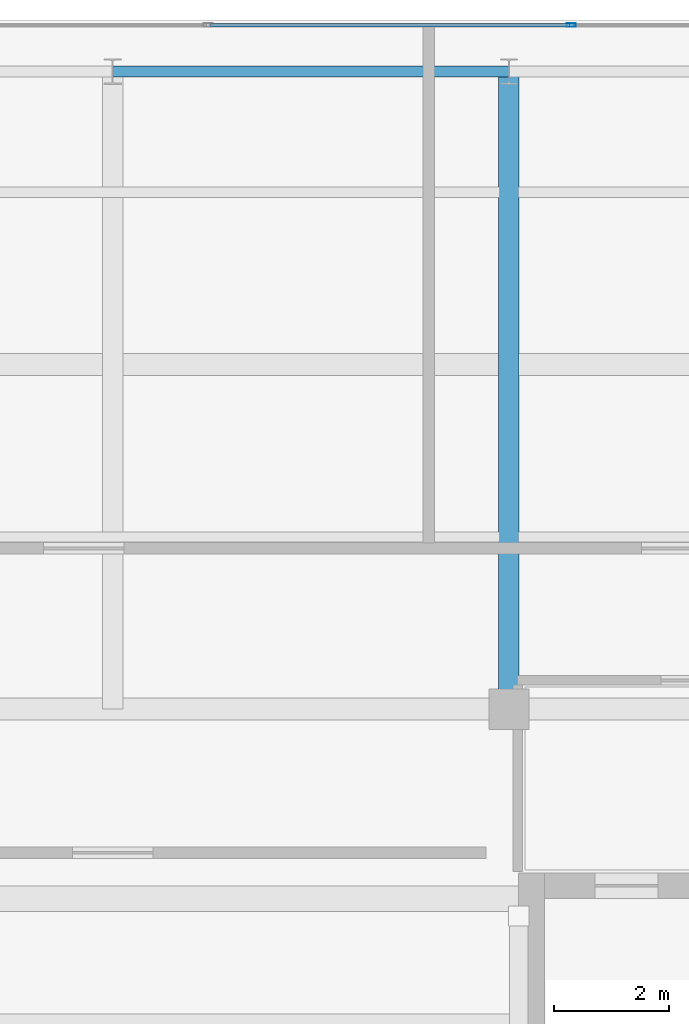
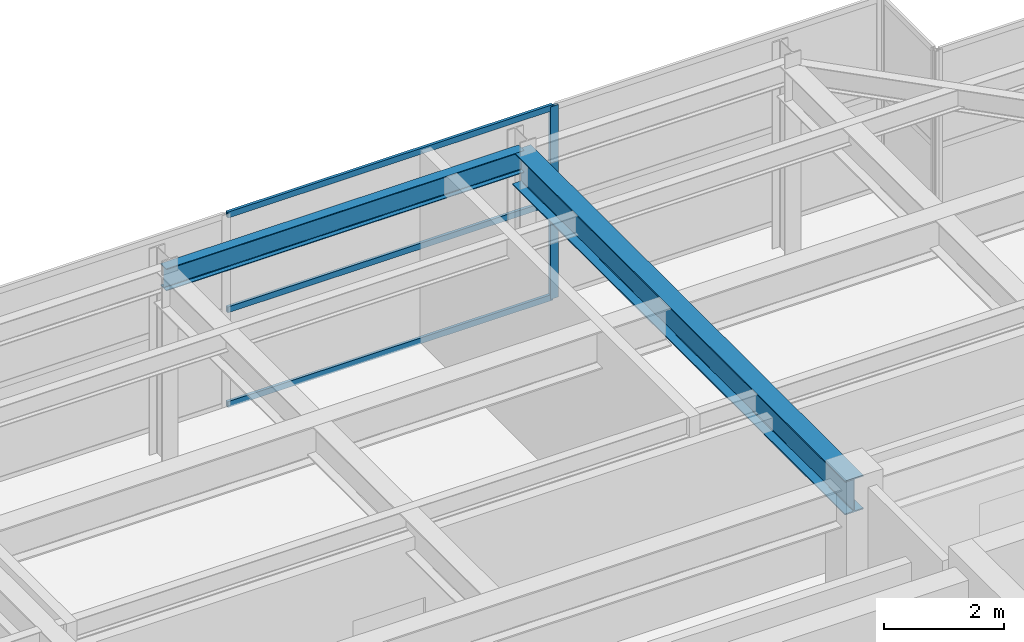
# One storey, part 26 of 32: 4 members, 2 beams, 1 element without a shape of its own.
"""IFC4 building model written with IfcOpenShell, lengths in metres."""

from ifc_helpers import new_model, si_unit, direction, frame, origin, origin_2d, place, context, subcontext, project, spatial, hollow_rectangle, i_section, extrude, source, transform, mapped, material, layer, layer_set, material_profile, profile_set, type_object, element, aggregate, save


model = new_model("IFC4")

# Units and contexts
model_context = context("Model", 3, precision=1e-05, world=origin(), true_north=direction((0.0, 1.0)))
body_context = subcontext(model_context, "Body", "Model", "MODEL_VIEW")
ifc_project = project(units=[si_unit("LENGTHUNIT", "METRE"), si_unit("AREAUNIT", "SQUARE_METRE"), si_unit("VOLUMEUNIT", "CUBIC_METRE"), si_unit("PLANEANGLEUNIT", "RADIAN"), si_unit("MASSUNIT", "GRAM", prefix="KILO")], contexts=[model_context])

# Site, building, storey
site_placement = place(None, origin())
site = spatial("IfcSite", under=ifc_project, at=site_placement, CompositionType="ELEMENT")
building_placement = place(site_placement, origin())
building = spatial("IfcBuilding", under=site, at=building_placement, Name="Khoralis Quay Care Tower", CompositionType="ELEMENT")
storey_placement = place(building_placement, frame((0.0, 0.0, 297.89990234375)))
storey = spatial("IfcBuildingStorey", under=building, at=storey_placement, Name="L78", CompositionType="ELEMENT", Elevation=297.89990234375)

# Beams
ifc_material_1 = material(Name="Steel S355", Category="steel")
ifc_material_profile_1 = material_profile(ifc_material_1, i_section(OverallWidth=0.18994140625, OverallDepth=0.449951171875, WebThickness=0.009521484375, FlangeThickness=0.0146484375, FilletRadius=0.02099609375, at=origin_2d()), Name="Steel S355")
ifc_profile_set_1 = profile_set([ifc_material_profile_1], Name="Steel S355")
beam_type_1 = type_object("IfcBeamType", Name="BM-IPE450", PredefinedType="SPANDREL", material=ifc_profile_set_1)
shared_shape_1 = source(origin(), body_context, "Body", "SweptSolid", [
    extrude(i_section(OverallWidth=0.18994140625, OverallDepth=0.449951171875, WebThickness=0.009521484375, FlangeThickness=0.0146484375, FilletRadius=0.02099609375, at=origin_2d()), origin(), (0.0, 0.0, 1.0), 6.89990234375),
])
beam_1_placement = place(storey_placement, frame((24.0, 41.10009765625, 3.695068359375), z_axis=(1.0, 0.0, 0.0), x_axis=(0.0, 1.0, 0.0)))
element("IfcBeam", 1, at=beam_1_placement, inside=storey, type_object=beam_type_1, Name="BM-TSP-L78-07", PredefinedType="SPANDREL", context=body_context, shape_type="MappedRepresentation", body=[
    mapped(shared_shape_1, transform((0.0, 0.0, 0.0), scale=1.0)),
])
ifc_material_profile_2 = material_profile(ifc_material_1, i_section(OverallWidth=0.35498046875, OverallDepth=0.695068359375, WebThickness=0.015380859375, FlangeThickness=0.02490234375, FilletRadius=0.02001953125, at=origin_2d()), Name="Steel S355")
ifc_profile_set_2 = profile_set([ifc_material_profile_2], Name="Steel S355")
beam_type_2 = type_object("IfcBeamType", Name="BM-W690X217", PredefinedType="BEAM", material=ifc_profile_set_2)
shared_shape_2 = source(origin(), body_context, "Body", "SweptSolid", [
    extrude(i_section(OverallWidth=0.35498046875, OverallDepth=0.695068359375, WebThickness=0.015380859375, FlangeThickness=0.02490234375, FilletRadius=0.02001953125, at=origin_2d()), origin(), (0.0, 0.0, 1.0), 11.10009765625),
])
beam_2_placement = place(storey_placement, frame((30.89990234375, 30.0, 3.572509765625), z_axis=(0.0, 1.0, 0.0), x_axis=(-1.0, 0.0, 0.0)))
element("IfcBeam", 2, at=beam_2_placement, inside=storey, type_object=beam_type_2, Name="BM-TGYN-L78-309", PredefinedType="BEAM", context=body_context, shape_type="MappedRepresentation", body=[
    mapped(shared_shape_2, transform((0.0, 0.0, 0.0), scale=1.0)),
])

# Curtain wall, members
ifc_material_2 = material(Name="Pale anodised aluminium", Category="aluminium")
ifc_layer = layer(ifc_material_2, 0.199951171875)
ifc_layer_set = layer_set([ifc_layer], Name="Pale anodised aluminium")
curtain_wall_type = type_object("IfcCurtainWallType", Name="CW-SYS-LANTERN", PredefinedType="NOTDEFINED", material=ifc_layer_set)
curtain_wall_placement = place(storey_placement, origin())
curtain_wall = element("IfcCurtainWall", 3, at=curtain_wall_placement, inside=storey, type_object=curtain_wall_type, Name="L78 Unitised Curtain Wall CW-LN-L78-11", PredefinedType="NOTDEFINED")
ifc_material_profile_3 = material_profile(ifc_material_2, hollow_rectangle(XDim=0.06005859375, YDim=0.159912109375, WallThickness=0.00390625, at=origin_2d()), Name="Pale anodised aluminium")
ifc_profile_set_3 = profile_set([ifc_material_profile_3], Name="Pale anodised aluminium")
member_type_1 = type_object("IfcMemberType", Name="CW-MUL-160", PredefinedType="MULLION", material=ifc_profile_set_3)
shared_shape_3 = source(origin(), body_context, "Body", "SweptSolid", [
    extrude(hollow_rectangle(XDim=0.06005859375, YDim=0.159912109375, WallThickness=0.00390625, at=origin_2d()), origin(), (0.0, 0.0, 1.0), 3.920166015625),
])
member_1_placement = place(storey_placement, frame((31.986083984375, 41.909912109375, 0.0), z_axis=(0.0, 0.0, 1.0), x_axis=(0.0, -1.0, 0.0)))
member_1 = element("IfcMember", 4, at=member_1_placement, type_object=member_type_1, Name="CW5 mullion 2", PredefinedType="MULLION", context=body_context, shape_type="MappedRepresentation", body=[
    mapped(shared_shape_3, transform((0.0, 0.0, 0.0), scale=1.0)),
])
ifc_material_profile_4 = material_profile(ifc_material_2, hollow_rectangle(XDim=0.054931640625, YDim=0.1201171875, WallThickness=0.00390625, at=origin_2d()), Name="Pale anodised aluminium")
ifc_profile_set_4 = profile_set([ifc_material_profile_4], Name="Pale anodised aluminium")
member_type_2 = type_object("IfcMemberType", Name="CW-TRN-120", PredefinedType="USERDEFINED", material=ifc_profile_set_4)
shared_shape_4 = source(origin(), body_context, "Body", "SweptSolid", [
    extrude(hollow_rectangle(XDim=0.054931640625, YDim=0.1201171875, WallThickness=0.00390625, at=origin_2d()), origin(), (0.0, 0.0, 1.0), 6.26416015625),
])
member_2_placement = place(storey_placement, frame((31.9560546875, 41.909912109375, 0.030029296875), z_axis=(-1.0, 0.0, 0.0), x_axis=(0.0, -1.0, 0.0)))
member_2 = element("IfcMember", 5, at=member_2_placement, type_object=member_type_2, Name="CW5 transom 2.1", ObjectType="TRANSOM", PredefinedType="USERDEFINED", context=body_context, shape_type="MappedRepresentation", body=[
    mapped(shared_shape_4, transform((0.0, 0.0, 0.0), scale=1.0)),
])
member_3_placement = place(storey_placement, frame((31.9560546875, 41.909912109375, 1.960205078125), z_axis=(-1.0, 0.0, 0.0), x_axis=(0.0, -1.0, 0.0)))
member_3 = element("IfcMember", 6, at=member_3_placement, type_object=member_type_2, Name="CW5 transom 2.2", ObjectType="TRANSOM", PredefinedType="USERDEFINED", context=body_context, shape_type="MappedRepresentation", body=[
    mapped(shared_shape_4, transform((0.0, 0.0, 0.0), scale=1.0)),
])
member_4_placement = place(storey_placement, frame((31.9560546875, 41.909912109375, 3.89013671875), z_axis=(-1.0, 0.0, 0.0), x_axis=(0.0, -1.0, 0.0)))
member_4 = element("IfcMember", 7, at=member_4_placement, type_object=member_type_2, Name="CW5 transom 2.3", ObjectType="TRANSOM", PredefinedType="USERDEFINED", context=body_context, shape_type="MappedRepresentation", body=[
    mapped(shared_shape_4, transform((0.0, 0.0, 0.0), scale=1.0)),
])
aggregate(curtain_wall, [member_1, member_2, member_3, member_4])

save(model, "model.ifc")
